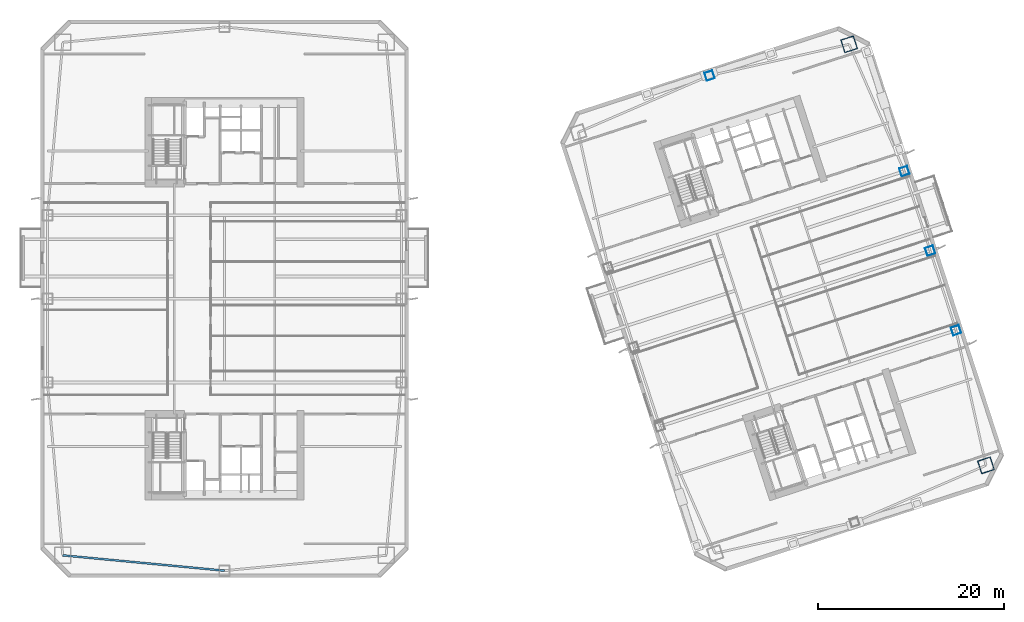
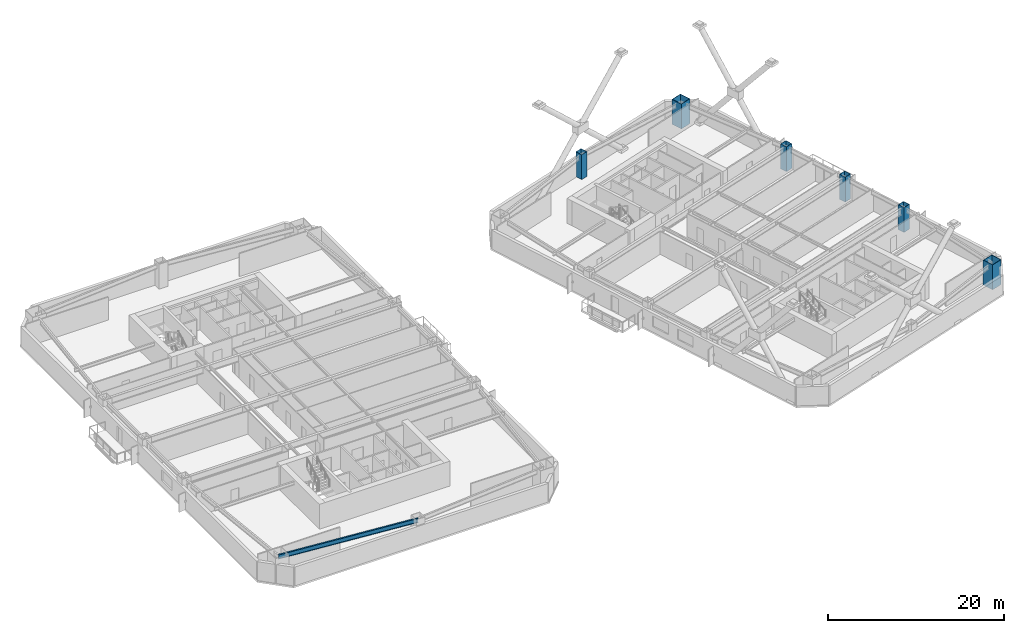
# One storey, part 2 of 19: 6 columns, 1 beam.
"""IFC4 building model written with IfcOpenShell, lengths in metres."""

from ifc_helpers import new_model, si_unit, direction, frame, origin, origin_2d, place, context, subcontext, project, spatial, hollow_rectangle, i_section, extrude, material, material_profile, profile_set, type_object, element, save


model = new_model("IFC4")

# Units and contexts
model_context = context("Model", 3, precision=1e-05, world=origin(), true_north=direction((0.0, 1.0)))
body_context = subcontext(model_context, "Body", "Model", "MODEL_VIEW")
ifc_project = project(units=[si_unit("LENGTHUNIT", "METRE"), si_unit("AREAUNIT", "SQUARE_METRE"), si_unit("VOLUMEUNIT", "CUBIC_METRE"), si_unit("PLANEANGLEUNIT", "RADIAN"), si_unit("MASSUNIT", "GRAM", prefix="KILO")], contexts=[model_context])

# Site, building, storey
site_placement = place(None, origin())
site = spatial("IfcSite", under=ifc_project, at=site_placement, CompositionType="ELEMENT")
building_placement = place(site_placement, origin())
building = spatial("IfcBuilding", under=site, at=building_placement, Name="Qiaolan Cultural Towers", CompositionType="ELEMENT")
storey_placement = place(building_placement, frame((0.0, 0.0, 78.199951171875)))
storey = spatial("IfcBuildingStorey", under=building, at=storey_placement, Name="L19", CompositionType="ELEMENT", Elevation=78.199951171875)

# Columns
ifc_material_1 = material(Name="Steel Q420GJB", Category="steel")
ifc_material_profile_1 = material_profile(ifc_material_1, hollow_rectangle(XDim=1.449951171875, YDim=1.449951171875, WallThickness=0.050048828125, at=origin_2d()), Name="BOX1450x1450x50")
ifc_profile_set_1 = profile_set([ifc_material_profile_1], Name="Steel Q420GJB")
column_type_1 = type_object("IfcColumnType", Name="COL-BOX1450x1450x50", PredefinedType="COLUMN", material=ifc_profile_set_1)
for number, where, z_axis, x_axis, name in (
    (1, (111.930908203125, 16.080078125, 0.0), (0.0, 0.0, 1.0), (0.951056516295, 0.309016994375, 0.0), "L19 T2 Perimeter Column MC-SE"),
    (2, (97.20947265625, 61.388427734375, 0.0), (0.0, 0.0, 1.0), (0.951056516295, 0.309016994375, 0.0), "L19 T2 Perimeter Column MC-NE"),
):
    element("IfcColumn", number, at=place(storey_placement, frame(where, z_axis=z_axis, x_axis=x_axis)), inside=storey, type_object=column_type_1, Name=name, PredefinedType="COLUMN", context=body_context, shape_type="SweptSolid", body=[
        extrude(hollow_rectangle(XDim=1.449951171875, YDim=1.449951171875, WallThickness=0.050048828125, at=origin_2d()), origin(), (0.0, 0.0, 1.0), 3.450927734375),
    ])
ifc_material_2 = material(Name="Steel Q355B", Category="steel")
ifc_material_profile_2 = material_profile(ifc_material_2, hollow_rectangle(XDim=0.89990234375, YDim=0.89990234375, WallThickness=0.031982421875, at=origin_2d()), Name="BOX900x900x32")
ifc_profile_set_2 = profile_set([ifc_material_profile_2], Name="Steel Q355B")
column_type_2 = type_object("IfcColumnType", Name="COL-BOX900x900x32", PredefinedType="COLUMN", material=ifc_profile_set_2)
for number, where, z_axis, x_axis, name in (
    (3, (108.71142578125, 30.616455078125, 0.0), (0.0, 0.0, 1.0), (0.951056516295, 0.309016994375, 0.0), "L19 T2 Perimeter Column PC-E1"),
    (4, (105.93017578125, 39.176025390625, 0.0), (0.0, 0.0, 1.0), (0.951056516295, 0.309016994375, 0.0), "L19 T2 Perimeter Column PC-E2"),
    (5, (103.14892578125, 47.735595703125, 0.0), (0.0, 0.0, 1.0), (0.951056516295, 0.309016994375, 0.0), "L19 T2 Perimeter Column PC-E3"),
    (6, (82.197265625, 58.01416015625, 0.0), (0.0, 0.0, 1.0), (0.951056516295, 0.309016994375, 0.0), "L19 T2 Perimeter Column PC-N0"),
):
    element("IfcColumn", number, at=place(storey_placement, frame(where, z_axis=z_axis, x_axis=x_axis)), inside=storey, type_object=column_type_2, Name=name, PredefinedType="COLUMN", context=body_context, shape_type="SweptSolid", body=[
        extrude(hollow_rectangle(XDim=0.89990234375, YDim=0.89990234375, WallThickness=0.031982421875, at=origin_2d()), origin(), (0.0, 0.0, 1.0), 3.450927734375),
    ])

# Beam
ifc_material_3 = material(Name="Steel Q355B", Category="steel")
ifc_material_profile_3 = material_profile(ifc_material_3, i_section(OverallWidth=0.199951171875, OverallDepth=0.60009765625, WebThickness=0.010986328125, FlangeThickness=0.01708984375, at=origin_2d()), Name="HN600x200x11x17")
ifc_profile_set_3 = profile_set([ifc_material_profile_3], Name="Steel Q355B")
beam_type = type_object("IfcBeamType", Name="BM-SPD-HN600x200x11x17", PredefinedType="SPANDREL", material=ifc_profile_set_3)
beam_placement = place(storey_placement, frame((12.60009765625, 6.39990234375, 2.89013671875), z_axis=(0.995534437156, -0.094399070104, 0.0), x_axis=(0.094399070104, 0.995534437156, 0.0)))
element("IfcBeam", 7, at=beam_placement, inside=storey, type_object=beam_type, Name="L19 T1 Perimeter Spandrel Beam 1", PredefinedType="SPANDREL", context=body_context, shape_type="SweptSolid", body=[
    extrude(i_section(OverallWidth=0.199951171875, OverallDepth=0.60009765625, WebThickness=0.010986328125, FlangeThickness=0.01708984375, at=origin_2d()), origin(), (0.0, 0.0, 1.0), 17.47802734375),
])

save(model, "model.ifc")
